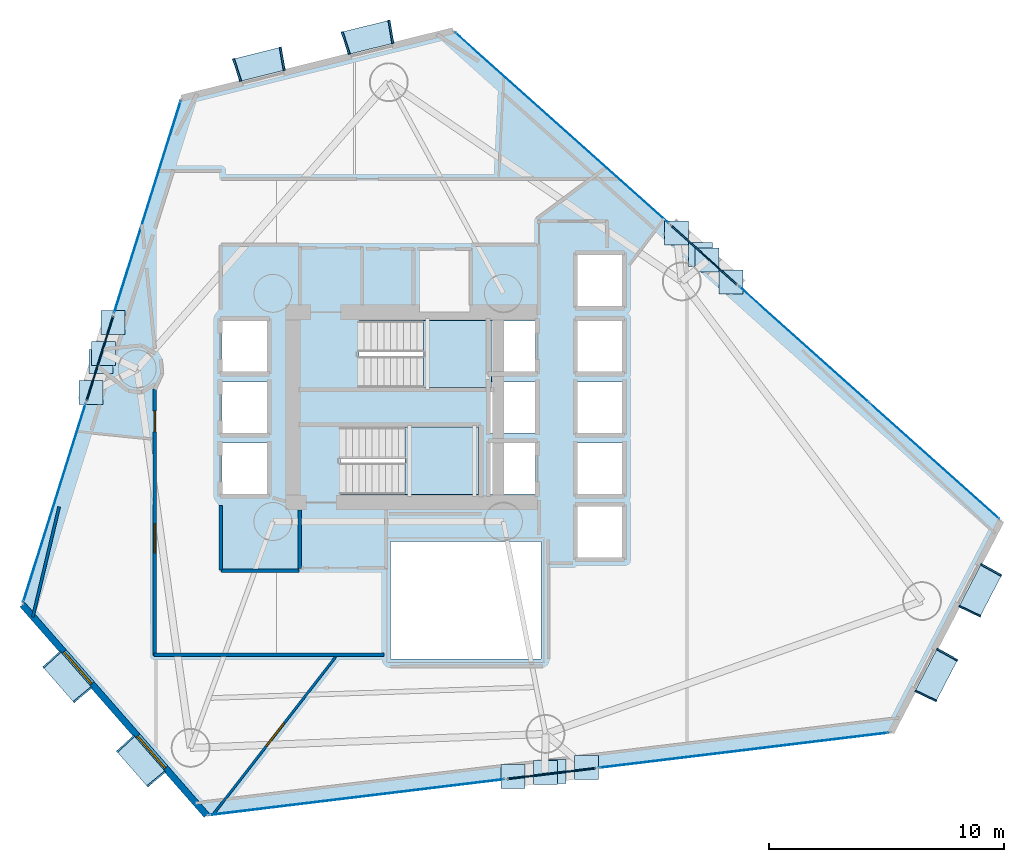
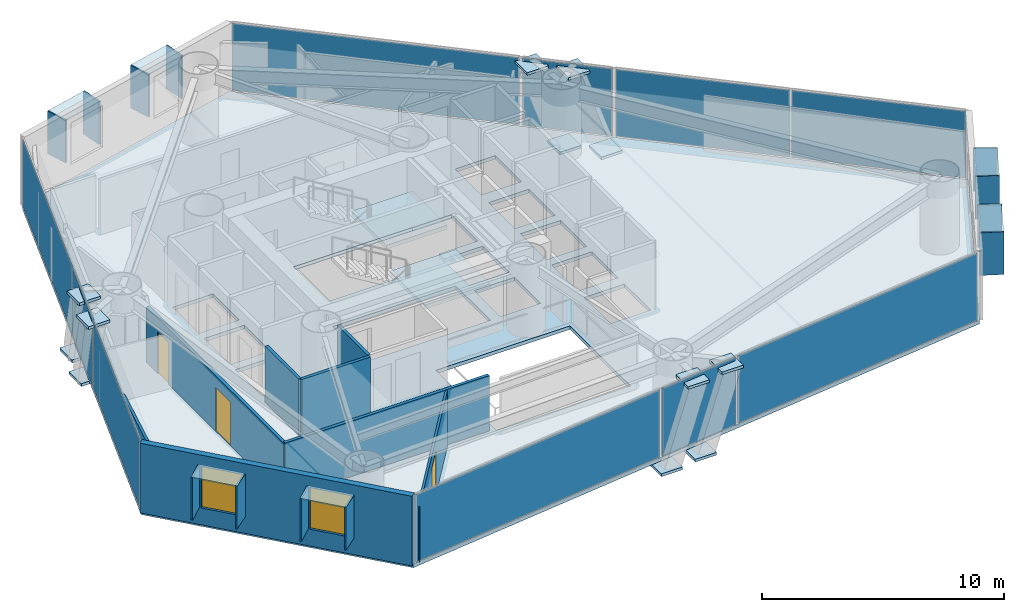
# One storey, part 17 of 24: 40 plates, 8 walls, 3 doors, 3 slabs, 2 windows, 5 openings, 11 elements without a shape of their own.
"""IFC4 building model written with IfcOpenShell, lengths in metres."""

from ifc_helpers import new_model, si_unit, direction, frame, frame_2d, origin, origin_2d, place, context, subcontext, project, spatial, polyline, rectangle, outline, extrude, material, layer, layer_set, type_object, element, fill, aggregate, save


model = new_model("IFC4")

# Units and contexts
model_context = context("Model", 3, precision=1e-05, world=origin(), true_north=direction((0.0, 1.0)))
body_context = subcontext(model_context, "Body", "Model", "MODEL_VIEW")
ifc_project = project(units=[si_unit("LENGTHUNIT", "METRE"), si_unit("AREAUNIT", "SQUARE_METRE"), si_unit("VOLUMEUNIT", "CUBIC_METRE"), si_unit("PLANEANGLEUNIT", "RADIAN"), si_unit("MASSUNIT", "GRAM", prefix="KILO")], contexts=[model_context])

# Site, building, storey
site_placement = place(None, origin())
site = spatial("IfcSite", under=ifc_project, at=site_placement, CompositionType="ELEMENT")
building_placement = place(site_placement, origin())
building = spatial("IfcBuilding", under=site, at=building_placement, Name="Qianvela Tower", CompositionType="ELEMENT")
storey_placement = place(building_placement, frame((0.0, 0.0, 71.0)))
storey = spatial("IfcBuildingStorey", under=building, at=storey_placement, Name="L17", CompositionType="ELEMENT", Elevation=71.0)

# Curtain wall, plate
ifc_material_1 = material(Name="Anodised Architectural Aluminium and Insulated Spandrel Panel", Category="aluminium")
ifc_layer_1 = layer(ifc_material_1, 0.179931640625)
ifc_layer_set_1 = layer_set([ifc_layer_1], Name="Anodised Architectural Aluminium and Insulated Spandrel Panel")
curtain_wall_type_1 = type_object("IfcCurtainWallType", Name="CW-BRACEBAY", PredefinedType="USERDEFINED", material=ifc_layer_set_1)
curtain_wall_1_placement = place(storey_placement, origin())
curtain_wall_1 = element("IfcCurtainWall", 1, at=curtain_wall_1_placement, inside=storey, type_object=curtain_wall_type_1, Name="L17 CW-BRACEBAY Curtain Wall 02B", ObjectType="CURTAIN_WALL_SYSTEM", PredefinedType="USERDEFINED")
ifc_material_2 = material(Name="Insulated Aluminium Spandrel Panel with Mineral-Wool Backpan", Category="aluminium")
ifc_layer_2 = layer(ifc_material_2, 0.06005859375)
ifc_layer_set_2 = layer_set([ifc_layer_2], Name="Insulated Aluminium Spandrel Panel with Mineral-Wool Backpan")
plate_type_1 = type_object("IfcPlateType", Name="CW-BRACEBAY-PNL", PredefinedType="CURTAIN_PANEL", material=ifc_layer_set_2)
plate_1_placement = place(storey_placement, frame((46.9189453125, 35.1884765625, 0.06494140625), z_axis=(0.0, 0.0, 1.0), x_axis=(-0.745563629334, 0.66643444885, 0.0)))
plate_1 = element("IfcPlate", 2, at=plate_1_placement, type_object=plate_type_1, Name="CW-9 panel 1.1", PredefinedType="CURTAIN_PANEL", context=body_context, shape_type="SweptSolid", body=[
    extrude(rectangle(XDim=3.780029296875, YDim=0.06005859375, at=origin_2d()), origin(), (0.0, 0.0, 1.0), 3.389892578125),
])
aggregate(curtain_wall_1, [plate_1])

curtain_wall_2_placement = place(storey_placement, origin())
curtain_wall_2 = element("IfcCurtainWall", 3, at=curtain_wall_2_placement, inside=storey, type_object=curtain_wall_type_1, Name="L17 CW-BRACEBAY Curtain Wall 04B", ObjectType="CURTAIN_WALL_SYSTEM", PredefinedType="USERDEFINED")
plate_2_placement = place(storey_placement, frame((21.2412109375, 30.783203125, 0.06494140625), z_axis=(0.0, 0.0, 1.0), x_axis=(-0.299698904357, -0.954033839404, 0.0)))
plate_2 = element("IfcPlate", 4, at=plate_2_placement, type_object=plate_type_1, Name="CW-9 panel 1.1", PredefinedType="CURTAIN_PANEL", context=body_context, shape_type="SweptSolid", body=[
    extrude(rectangle(XDim=3.780029296875, YDim=0.06005859375, at=origin_2d()), origin(), (0.0, 0.0, 1.0), 3.389892578125),
])
aggregate(curtain_wall_2, [plate_2])

curtain_wall_3_placement = place(storey_placement, origin())
curtain_wall_3 = element("IfcCurtainWall", 5, at=curtain_wall_3_placement, inside=storey, type_object=curtain_wall_type_1, Name="L17 CW-BRACEBAY Curtain Wall 06B", ObjectType="CURTAIN_WALL_SYSTEM", PredefinedType="USERDEFINED")
plate_3_placement = place(storey_placement, frame((40.447509765625, 13.133544921875, 0.06494140625), z_axis=(0.0, 0.0, 1.0), x_axis=(0.992727593644, 0.120382410751, 0.0)))
plate_3 = element("IfcPlate", 6, at=plate_3_placement, type_object=plate_type_1, Name="CW-9 panel 1.1", PredefinedType="CURTAIN_PANEL", context=body_context, shape_type="SweptSolid", body=[
    extrude(rectangle(XDim=3.7900390625, YDim=0.06005859375, at=origin_2d()), origin(), (0.0, 0.0, 1.0), 3.389892578125),
])
aggregate(curtain_wall_3, [plate_3])

# Curtain wall, plates
ifc_material_3 = material(Name="Anodised Architectural Aluminium and Low-E Glass", Category="aluminium")
ifc_layer_3 = layer(ifc_material_3, 0.179931640625)
ifc_layer_set_3 = layer_set([ifc_layer_3], Name="Anodised Architectural Aluminium and Low-E Glass")
curtain_wall_type_2 = type_object("IfcCurtainWallType", Name="CW-COLIV-Z12", PredefinedType="USERDEFINED", material=ifc_layer_set_3)
curtain_wall_4_placement = place(storey_placement, origin())
curtain_wall_4 = element("IfcCurtainWall", 7, at=curtain_wall_4_placement, inside=storey, type_object=curtain_wall_type_2, Name="L17 CW-COLIV-Z12 Curtain Wall 02A", ObjectType="CURTAIN_WALL_SYSTEM", PredefinedType="USERDEFINED")
ifc_material_4 = material(Name="Double-Silver Low-E Insulated Glass", Category="glass")
ifc_layer_4 = layer(ifc_material_4, 0.030029296875)
ifc_layer_set_4 = layer_set([ifc_layer_4], Name="Double-Silver Low-E Insulated Glass")
plate_type_2 = type_object("IfcPlateType", Name="CW-COLIV-Z12-PNL", PredefinedType="CURTAIN_PANEL", material=ifc_layer_set_4)
plate_4_placement = place(storey_placement, frame((56.72314453125, 26.4248046875, 0.06494140625), z_axis=(0.0, 0.0, 1.0), x_axis=(-0.74555490357, 0.66644421054, 0.0)))
plate_4 = element("IfcPlate", 8, at=plate_4_placement, type_object=plate_type_2, Name="CW-3 panel 1.1", PredefinedType="CURTAIN_PANEL", context=body_context, shape_type="SweptSolid", body=[
    extrude(rectangle(XDim=7.369873046875, YDim=0.030029296875, at=origin_2d()), origin(), (0.0, 0.0, 1.0), 3.389892578125),
])
plate_5_placement = place(storey_placement, frame((51.176025390625, 31.383056640625, 0.06494140625), z_axis=(0.0, 0.0, 1.0), x_axis=(-0.74555490357, 0.66644421054, 0.0)))
plate_5 = element("IfcPlate", 9, at=plate_5_placement, type_object=plate_type_2, Name="CW-3 panel 2.1", PredefinedType="CURTAIN_PANEL", context=body_context, shape_type="SweptSolid", body=[
    extrude(rectangle(XDim=7.369873046875, YDim=0.030029296875, at=origin_2d()), origin(), (0.0, 0.0, 1.0), 3.389892578125),
])
aggregate(curtain_wall_4, [plate_4, plate_5])

# Curtain wall, plate
curtain_wall_5_placement = place(storey_placement, origin())
curtain_wall_5 = element("IfcCurtainWall", 10, at=curtain_wall_5_placement, inside=storey, type_object=curtain_wall_type_2, Name="L17 CW-COLIV-Z12 Curtain Wall 02C", ObjectType="CURTAIN_WALL_SYSTEM", PredefinedType="USERDEFINED")
plate_6_placement = place(storey_placement, frame((40.88134765625, 40.58544921875, 0.06494140625), z_axis=(0.0, 0.0, 1.0), x_axis=(-0.74555138002, 0.666448152334, 0.0)))
plate_6 = element("IfcPlate", 11, at=plate_6_placement, type_object=plate_type_2, Name="CW-3 panel 1.1", PredefinedType="CURTAIN_PANEL", context=body_context, shape_type="SweptSolid", body=[
    extrude(rectangle(XDim=12.146484375, YDim=0.030029296875, at=origin_2d()), origin(), (0.0, 0.0, 1.0), 3.389892578125),
])
aggregate(curtain_wall_5, [plate_6])

curtain_wall_6_placement = place(storey_placement, origin())
curtain_wall_6 = element("IfcCurtainWall", 12, at=curtain_wall_6_placement, inside=storey, type_object=curtain_wall_type_2, Name="L17 CW-COLIV-Z12 Curtain Wall 04A", ObjectType="CURTAIN_WALL_SYSTEM", PredefinedType="USERDEFINED")
plate_7_placement = place(storey_placement, frame((23.264404296875, 37.222900390625, 0.06494140625), z_axis=(0.0, 0.0, 1.0), x_axis=(-0.299706748032, -0.954031375367, 0.0)))
plate_7 = element("IfcPlate", 13, at=plate_7_placement, type_object=plate_type_2, Name="CW-3 panel 1.1", PredefinedType="CURTAIN_PANEL", context=body_context, shape_type="SweptSolid", body=[
    extrude(rectangle(XDim=9.449951171875, YDim=0.030029296875, at=origin_2d()), origin(), (0.0, 0.0, 1.0), 3.389892578125),
])
aggregate(curtain_wall_6, [plate_7])

curtain_wall_7_placement = place(storey_placement, origin())
curtain_wall_7 = element("IfcCurtainWall", 14, at=curtain_wall_7_placement, inside=storey, type_object=curtain_wall_type_2, Name="L17 CW-COLIV-Z12 Curtain Wall 04C", ObjectType="CURTAIN_WALL_SYSTEM", PredefinedType="USERDEFINED")
plate_8_placement = place(storey_placement, frame((19.31103515625, 24.638916015625, 0.06494140625), z_axis=(0.0, 0.0, 1.0), x_axis=(-0.299703987763, -0.954032242494, 0.0)))
plate_8 = element("IfcPlate", 15, at=plate_8_placement, type_object=plate_type_2, Name="CW-3 panel 1.1", PredefinedType="CURTAIN_PANEL", context=body_context, shape_type="SweptSolid", body=[
    extrude(rectangle(XDim=8.831298828125, YDim=0.030029296875, at=origin_2d()), origin(), (0.0, 0.0, 1.0), 3.389892578125),
])
aggregate(curtain_wall_7, [plate_8])

curtain_wall_8_placement = place(storey_placement, origin())
curtain_wall_8 = element("IfcCurtainWall", 16, at=curtain_wall_8_placement, inside=storey, type_object=curtain_wall_type_2, Name="L17 CW-COLIV-Z12 Curtain Wall 06A", ObjectType="CURTAIN_WALL_SYSTEM", PredefinedType="USERDEFINED")
plate_9_placement = place(storey_placement, frame((32.168212890625, 12.129638671875, 0.06494140625), z_axis=(0.0, 0.0, 1.0), x_axis=(0.992730320598, 0.120359920925, 0.0)))
plate_9 = element("IfcPlate", 17, at=plate_9_placement, type_object=plate_type_2, Name="CW-3 panel 1.1", PredefinedType="CURTAIN_PANEL", context=body_context, shape_type="SweptSolid", body=[
    extrude(rectangle(XDim=12.6201171875, YDim=0.030029296875, at=origin_2d()), origin(), (0.0, 0.0, 1.0), 3.389892578125),
])
aggregate(curtain_wall_8, [plate_9])

curtain_wall_9_placement = place(storey_placement, origin())
curtain_wall_9 = element("IfcCurtainWall", 18, at=curtain_wall_9_placement, inside=storey, type_object=curtain_wall_type_2, Name="L17 CW-COLIV-Z12 Curtain Wall 06C", ObjectType="CURTAIN_WALL_SYSTEM", PredefinedType="USERDEFINED")
plate_10_placement = place(storey_placement, frame((48.611328125, 14.123291015625, 0.06494140625), z_axis=(0.0, 0.0, 1.0), x_axis=(0.992730256294, 0.120360451304, 0.0)))
plate_10 = element("IfcPlate", 19, at=plate_10_placement, type_object=plate_type_2, Name="CW-3 panel 1.1", PredefinedType="CURTAIN_PANEL", context=body_context, shape_type="SweptSolid", body=[
    extrude(rectangle(XDim=12.387451171875, YDim=0.030029296875, at=origin_2d()), origin(), (0.0, 0.0, 1.0), 3.389892578125),
])
aggregate(curtain_wall_9, [plate_10])

# Plates
ifc_material_5 = material(Name="Steel Q420GJC", Category="steel")
ifc_layer_5 = layer(ifc_material_5, 0.139892578125)
ifc_layer_set_5 = layer_set([ifc_layer_5], Name="Steel Q420GJC")
plate_type_3 = type_object("IfcPlateType", Name="PT-GUSSET-NODE-140", PredefinedType="USERDEFINED", material=ifc_layer_set_5)
for number, where, z_axis, x_axis, name in (
    (20, (48.084716796875, 34.0390625, -0.6630859375), (0.0, 0.0, 1.0), (1.0, 0.0, 0.0), "L17 Node Gusset Plate A"),
    (21, (47.0556640625, 34.958984375, 3.1591796875), (0.0, 0.0, 1.0), (1.0, 0.0, 0.0), "L17 Node Gusset Plate B"),
    (22, (46.7783203125, 35.206787109375, -0.6630859375), (0.0, 0.0, 1.0), (1.0, 0.0, 0.0), "L17 Node Gusset Plate A"),
    (23, (45.7490234375, 36.126953125, 3.1591796875), (0.0, 0.0, 1.0), (1.0, 0.0, 0.0), "L17 Node Gusset Plate B"),
    (24, (21.8076171875, 32.31884765625, -0.6630859375), (0.0, 0.0, 1.0), (1.0, 0.0, 0.0), "L17 Node Gusset Plate A"),
    (25, (21.392822265625, 30.99853515625, 3.1591796875), (0.0, 0.0, 1.0), (1.0, 0.0, 0.0), "L17 Node Gusset Plate B"),
    (26, (21.2822265625, 30.647216796875, -0.6630859375), (0.0, 0.0, 1.0), (1.0, 0.0, 0.0), "L17 Node Gusset Plate A"),
    (27, (20.86767578125, 29.32666015625, 3.1591796875), (0.0, 0.0, 1.0), (1.0, 0.0, 0.0), "L17 Node Gusset Plate B"),
    (28, (38.813232421875, 13.015869140625, -0.6630859375), (0.0, 0.0, 1.0), (1.0, 0.0, 0.0), "L17 Node Gusset Plate A"),
    (29, (40.18798828125, 13.1826171875, 3.1591796875), (0.0, 0.0, 1.0), (1.0, 0.0, 0.0), "L17 Node Gusset Plate B"),
    (30, (40.552734375, 13.226806640625, -0.6630859375), (0.0, 0.0, 1.0), (1.0, 0.0, 0.0), "L17 Node Gusset Plate A"),
    (31, (41.927978515625, 13.3935546875, 3.1591796875), (0.0, 0.0, 1.0), (1.0, 0.0, 0.0), "L17 Node Gusset Plate B"),
):
    element("IfcPlate", number, at=place(storey_placement, frame(where, z_axis=z_axis, x_axis=x_axis)), inside=storey, type_object=plate_type_3, Name=name, ObjectType="GUSSET_PLATE", PredefinedType="USERDEFINED", context=body_context, shape_type="SweptSolid", body=[
        extrude(rectangle(XDim=1.02001953125, YDim=1.02001953125, at=origin_2d()), origin(), (0.0, 0.0, 1.0), 0.139892578125),
    ])

# Slab
ifc_material_6 = material(Name="Concrete C40", Category="concrete")
ifc_layer_6 = layer(ifc_material_6, 0.179931640625)
ifc_layer_set_6 = layer_set([ifc_layer_6], Name="Concrete C40")
slab_type_1 = type_object("IfcSlabType", Name="SL-FLOOR-180", PredefinedType="FLOOR", material=ifc_layer_set_6)
slab_1_placement = place(storey_placement, frame((0.0, 0.0, -0.179931640625)))
element("IfcSlab", 32, at=slab_1_placement, inside=storey, type_object=slab_type_1, Name="L17 Composite Structural Floor Slab", PredefinedType="FLOOR", context=body_context, shape_type="SweptSolid", body=[
    extrude(outline(polyline([(54.879150390625, 14.88330078125), (59.559814453125, 23.888916015625), (36.263916015625, 44.712890625), (24.71630859375, 41.84521484375), (17.95166015625, 20.311767578125), (25.784912109375, 11.355712890625), (54.879150390625, 14.88330078125)]), holes=[polyline([(40.0, 23.0), (33.60009765625, 23.0), (33.60009765625, 18.0), (40.0, 18.0), (40.0, 23.0)]), polyline([(28.360107421875, 25.02001953125), (28.360107421875, 27.179931640625), (26.43994140625, 27.179931640625), (26.43994140625, 25.02001953125), (28.360107421875, 25.02001953125)]), polyline([(37.35009765625, 25.0), (37.35009765625, 27.860107421875), (31.469970703125, 27.860107421875), (31.469970703125, 25.0), (37.35009765625, 25.0)]), polyline([(28.360107421875, 27.6201171875), (28.360107421875, 29.780029296875), (26.43994140625, 29.780029296875), (26.43994140625, 27.6201171875), (28.360107421875, 27.6201171875)]), polyline([(37.89990234375, 32.3798828125), (37.89990234375, 32.39990234375), (32.25, 32.39990234375), (32.25, 29.5400390625), (37.840087890625, 29.5400390625), (37.840087890625, 27.6201171875), (39.760009765625, 27.6201171875), (39.760009765625, 29.780029296875), (37.89990234375, 29.780029296875), (37.89990234375, 30.219970703125), (39.760009765625, 30.219970703125), (39.760009765625, 32.3798828125), (37.89990234375, 32.3798828125)]), polyline([(28.360107421875, 30.219970703125), (28.360107421875, 32.3798828125), (26.43994140625, 32.3798828125), (26.43994140625, 30.219970703125), (28.360107421875, 30.219970703125)]), polyline([(43.4599609375, 24.47998046875), (41.5400390625, 24.47998046875), (41.5400390625, 22.320068359375), (43.4599609375, 22.320068359375), (43.4599609375, 24.47998046875)]), polyline([(39.760009765625, 25.02001953125), (39.760009765625, 27.179931640625), (37.840087890625, 27.179931640625), (37.840087890625, 25.02001953125), (39.760009765625, 25.02001953125)]), polyline([(43.4599609375, 25.02001953125), (43.4599609375, 27.179931640625), (41.5400390625, 27.179931640625), (41.5400390625, 25.02001953125), (43.4599609375, 25.02001953125)]), polyline([(43.4599609375, 27.6201171875), (43.4599609375, 29.780029296875), (41.5400390625, 29.780029296875), (41.5400390625, 27.6201171875), (43.4599609375, 27.6201171875)]), polyline([(43.4599609375, 30.219970703125), (43.4599609375, 32.3798828125), (41.5400390625, 32.3798828125), (41.5400390625, 30.219970703125), (43.4599609375, 30.219970703125)]), polyline([(43.4599609375, 33.02001953125), (43.4599609375, 35.179931640625), (41.5400390625, 35.179931640625), (41.5400390625, 33.02001953125), (43.4599609375, 33.02001953125)])]), origin(), (0.0, 0.0, 1.0), 0.179931640625),
])

# Stair, slab
ifc_material_7 = material(Name="Concrete C40", Category="concrete")
stair_type = type_object("IfcStairType", Name="ST-DOGLEG-1350-R168-N22", PredefinedType="HALF_TURN_STAIR", material=ifc_material_7)
stair_1_placement = place(storey_placement, origin())
stair_1 = element("IfcStair", 33, at=stair_1_placement, inside=storey, type_object=stair_type, Name="L17 Smoke-Proof Core Stair ST-1", PredefinedType="HALF_TURN_STAIR")
ifc_material_8 = material(Name="Concrete C40", Category="concrete")
ifc_layer_7 = layer(ifc_material_8, 0.199951171875)
ifc_layer_set_7 = layer_set([ifc_layer_7], Name="Concrete C40")
slab_type_2 = type_object("IfcSlabType", Name="SL-STAIR-LANDING-200", PredefinedType="LANDING", material=ifc_layer_set_7)
slab_2_placement = place(storey_placement, frame((0.0, 0.0, 1.64990234375)))
slab_2 = element("IfcSlab", 34, at=slab_2_placement, type_object=slab_type_2, Name="ST-1 landing 1", PredefinedType="LANDING", context=body_context, shape_type="SweptSolid", body=[
    extrude(outline(polyline([(35.0, 29.5400390625), (37.89990234375, 29.5400390625), (37.89990234375, 32.39990234375), (35.0, 32.39990234375), (35.0, 29.5400390625)])), origin(), (0.0, 0.0, 1.0), 0.2001953125),
])
aggregate(stair_1, [slab_2])

stair_2_placement = place(storey_placement, origin())
stair_2 = element("IfcStair", 35, at=stair_2_placement, inside=storey, type_object=stair_type, Name="L17 Smoke-Proof Core Stair ST-2", PredefinedType="HALF_TURN_STAIR")
slab_3_placement = place(storey_placement, frame((0.0, 0.0, 1.64990234375)))
slab_3 = element("IfcSlab", 36, at=slab_3_placement, type_object=slab_type_2, Name="ST-2 landing 1", PredefinedType="LANDING", context=body_context, shape_type="SweptSolid", body=[
    extrude(outline(polyline([(34.219970703125, 25.0), (37.35009765625, 25.0), (37.35009765625, 27.860107421875), (34.219970703125, 27.860107421875), (34.219970703125, 25.0)])), origin(), (0.0, 0.0, 1.0), 0.2001953125),
])
aggregate(stair_2, [slab_3])

# Plates
ifc_material_9 = material(Name="Vitrified Architectural Terracotta Panel", Category="masonry")
ifc_layer_8 = layer(ifc_material_9, 0.06494140625)
ifc_layer_set_8 = layer_set([ifc_layer_8], Name="Vitrified Architectural Terracotta Panel")
plate_type_4 = type_object("IfcPlateType", Name="TERRACOTTA-SUNSHADE-HOOD-FOLD-B", PredefinedType="USERDEFINED", material=ifc_layer_set_8)
for number, where, z_axis, x_axis, name in (
    (37, (56.811279296875, 17.310546875, 2.9599609375), (0.0, 0.0, 1.0), (0.461177259038, 0.887308027545, 0.0), "L17 Terracotta Sunshade Hood FOLD-B"),
    (38, (58.68359375, 20.912841796875, 2.9599609375), (0.0, 0.0, 1.0), (0.461177259038, 0.887308027545, 0.0), "L17 Terracotta Sunshade Hood FOLD-B"),
    (39, (19.853759765625, 17.233154296875, 2.9599609375), (0.0, 0.0, 1.0), (0.658347957256, -0.752713735212, 0.0), "L17 Terracotta Sunshade Hood FOLD-B"),
    (40, (22.987060546875, 13.65087890625, 2.9599609375), (0.0, 0.0, 1.0), (0.658347957256, -0.752713735212, 0.0), "L17 Terracotta Sunshade Hood FOLD-B"),
):
    element("IfcPlate", number, at=place(storey_placement, frame(where, z_axis=z_axis, x_axis=x_axis)), inside=storey, type_object=plate_type_4, Name=name, ObjectType="SUNSHADE", PredefinedType="USERDEFINED", context=body_context, shape_type="SweptSolid", body=[
        extrude(rectangle(XDim=2.0400390625, YDim=0.989990234375, at=origin_2d()), origin(), (0.0, 0.0, 1.0), 0.06005859375),
    ])
ifc_material_10 = material(Name="Vitrified Architectural Terracotta Panel", Category="masonry")
ifc_layer_9 = layer(ifc_material_10, 0.074951171875)
ifc_layer_set_9 = layer_set([ifc_layer_9], Name="Vitrified Architectural Terracotta Panel")
plate_type_5 = type_object("IfcPlateType", Name="TERRACOTTA-SUNSHADE-HOOD-FOLD-D", PredefinedType="USERDEFINED", material=ifc_layer_set_9)
for number, where, z_axis, x_axis, name in (
    (41, (32.65625, 44.43017578125, 2.9599609375), (0.0, 0.0, 1.0), (-0.970522460038, -0.241010693876, 0.0), "L17 Terracotta Sunshade Hood FOLD-D"),
    (42, (28.037109375, 43.282958984375, 2.9599609375), (0.0, 0.0, 1.0), (-0.970522460038, -0.241010693876, 0.0), "L17 Terracotta Sunshade Hood FOLD-D"),
):
    element("IfcPlate", number, at=place(storey_placement, frame(where, z_axis=z_axis, x_axis=x_axis)), inside=storey, type_object=plate_type_5, Name=name, ObjectType="SUNSHADE", PredefinedType="USERDEFINED", context=body_context, shape_type="SweptSolid", body=[
        extrude(rectangle(XDim=2.0400390625, YDim=0.989990234375, at=origin_2d()), origin(), (0.0, 0.0, 1.0), 0.06005859375),
    ])
ifc_material_11 = material(Name="Vitrified Architectural Terracotta Side Fin Panel", Category="masonry")
ifc_layer_10 = layer(ifc_material_11, 0.070068359375)
ifc_layer_set_10 = layer_set([ifc_layer_10], Name="Vitrified Architectural Terracotta Side Fin Panel")
plate_type_6 = type_object("IfcPlateType", Name="TERRACOTTA-SUNSHADE-STRUT-FOLD-B", PredefinedType="USERDEFINED", material=ifc_layer_set_10)
for number, where, z_axis, x_axis, name in (
    (43, (56.354736328125, 16.43212890625, 0.85009765625), (0.0, 0.0, 1.0), (0.433865093818, 0.900977846768, 0.0), "L17 Terracotta Sunshade Side Fin HL FOLD-B"),
    (44, (57.267822265625, 18.18896484375, 0.85009765625), (0.0, 0.0, 1.0), (0.488059229659, 0.872810511133, 0.0), "L17 Terracotta Sunshade Side Fin HR FOLD-B"),
    (45, (58.22705078125, 20.034423828125, 0.85009765625), (0.0, 0.0, 1.0), (0.433865093818, 0.900977846768, 0.0), "L17 Terracotta Sunshade Side Fin HL FOLD-B"),
    (46, (59.14013671875, 21.791259765625, 0.85009765625), (0.0, 0.0, 1.0), (0.488059229659, 0.872810511133, 0.0), "L17 Terracotta Sunshade Side Fin HR FOLD-B"),
    (47, (19.201904296875, 17.978515625, 0.85009765625), (0.0, 0.0, 1.0), (0.681027656082, -0.732257694839, 0.0), "L17 Terracotta Sunshade Side Fin HL FOLD-B"),
    (48, (20.505615234375, 16.488037109375, 0.85009765625), (0.0, 0.0, 1.0), (0.63505413939, -0.772467630418, 0.0), "L17 Terracotta Sunshade Side Fin HR FOLD-B"),
    (49, (22.335205078125, 14.39599609375, 0.85009765625), (0.0, 0.0, 1.0), (0.681027656082, -0.732257694839, 0.0), "L17 Terracotta Sunshade Side Fin HL FOLD-B"),
    (50, (23.638916015625, 12.905517578125, 0.85009765625), (0.0, 0.0, 1.0), (0.63505413939, -0.772467630418, 0.0), "L17 Terracotta Sunshade Side Fin HR FOLD-B"),
):
    element("IfcPlate", number, at=place(storey_placement, frame(where, z_axis=z_axis, x_axis=x_axis)), inside=storey, type_object=plate_type_6, Name=name, ObjectType="SUNSHADE", PredefinedType="USERDEFINED", context=body_context, shape_type="SweptSolid", body=[
        extrude(rectangle(XDim=0.070068359375, YDim=1.010009765625, at=origin_2d()), origin(), (0.0, 0.0, 1.0), 2.159912109375),
    ])
ifc_material_12 = material(Name="Vitrified Architectural Terracotta Side Fin Panel", Category="masonry")
ifc_layer_11 = layer(ifc_material_12, 0.080078125)
ifc_layer_set_11 = layer_set([ifc_layer_11], Name="Vitrified Architectural Terracotta Side Fin Panel")
plate_type_7 = type_object("IfcPlateType", Name="TERRACOTTA-SUNSHADE-STRUT-FOLD-D", PredefinedType="USERDEFINED", material=ifc_layer_set_11)
for number, where, z_axis, x_axis, name in (
    (51, (33.6171875, 44.668701171875, 0.85009765625), (0.0, 0.0, 1.0), (-0.98571464156, -0.168424004865, 0.0), "L17 Terracotta Sunshade Side Fin HL FOLD-D"),
    (52, (31.6953125, 44.19140625, 0.85009765625), (0.0, 0.0, 1.0), (-0.949992764272, -0.312271913293, 0.0), "L17 Terracotta Sunshade Side Fin HR FOLD-D"),
    (53, (28.998046875, 43.521484375, 0.85009765625), (0.0, 0.0, 1.0), (-0.98571464156, -0.168424004865, 0.0), "L17 Terracotta Sunshade Side Fin HL FOLD-D"),
    (54, (27.076416015625, 43.04443359375, 0.85009765625), (0.0, 0.0, 1.0), (-0.949992764272, -0.312271913293, 0.0), "L17 Terracotta Sunshade Side Fin HR FOLD-D"),
):
    element("IfcPlate", number, at=place(storey_placement, frame(where, z_axis=z_axis, x_axis=x_axis)), inside=storey, type_object=plate_type_7, Name=name, ObjectType="SUNSHADE", PredefinedType="USERDEFINED", context=body_context, shape_type="SweptSolid", body=[
        extrude(rectangle(XDim=0.080078125, YDim=1.010009765625, at=origin_2d()), origin(), (0.0, 0.0, 1.0), 2.159912109375),
    ])

# Wall, openings, windows
ifc_material_13 = material(Name="Terracotta Cladding on Concrete C40", Category="masonry")
ifc_layer_12 = layer(ifc_material_13, 0.280029296875)
ifc_layer_set_12 = layer_set([ifc_layer_12], Name="Terracotta Cladding on Concrete C40")
wall_type_1 = type_object("IfcWallType", Name="TERRACOTTA-WALL-280", PredefinedType="SOLIDWALL", material=ifc_layer_set_12)
wall_1_placement = place(storey_placement, frame((17.95166015625, 20.311767578125, 0.0), z_axis=(0.0, 0.0, 1.0), x_axis=(0.658347705973, -0.752713954992, 0.0)))
wall_1 = element("IfcWall", 55, at=wall_1_placement, inside=storey, type_object=wall_type_1, Name="L17 Terracotta Chamfer Facet Wall 5", PredefinedType="SOLIDWALL", context=body_context, shape_type="SweptSolid", body=[
    extrude(rectangle(XDim=11.8984375, YDim=0.280029296875, at=frame_2d((5.94921875, 0.0))), origin(), (0.0, 0.0, 1.0), 3.52001953125),
])
opening_1_placement = place(wall_1_placement, frame((2.66943359375, 0.0, 0.85009765625)))
opening_1 = element("IfcOpeningElement", 56, at=opening_1_placement, cuts=wall_1, Name="Opening W-01", PredefinedType="OPENING", context=body_context, shape_type="SweptSolid", body=[
    extrude(rectangle(XDim=1.800048828125, YDim=2.10009765625, at=frame_2d((0.89990234375, 1.050048828125))), frame((0.0, 0.14990234375, 0.0), z_axis=(0.0, -1.0, 0.0), x_axis=(1.0, 0.0, 0.0)), (0.0, 0.0, 1.0), 0.300048828125),
])
opening_2_placement = place(wall_1_placement, frame((7.4287109375, 0.0, 0.85009765625)))
opening_2 = element("IfcOpeningElement", 57, at=opening_2_placement, cuts=wall_1, Name="Opening W-01", PredefinedType="OPENING", context=body_context, shape_type="SweptSolid", body=[
    extrude(rectangle(XDim=1.800048828125, YDim=2.10009765625, at=frame_2d((0.89990234375, 1.050048828125))), frame((0.0, 0.14990234375, 0.0), z_axis=(0.0, -1.0, 0.0), x_axis=(1.0, 0.0, 0.0)), (0.0, 0.0, 1.0), 0.300048828125),
])
ifc_material_14 = material(Name="Thermally Broken Aluminium and Low-E Glass", Category="aluminium")
window_type = type_object("IfcWindowType", Name="WIN-TC-1800x2100", PartitioningType="DOUBLE_PANEL_VERTICAL", PredefinedType="WINDOW", material=ifc_material_14)
window_1_placement = place(opening_1_placement, origin())
window_1 = element("IfcWindow", 58, at=window_1_placement, inside=storey, type_object=window_type, Name="L17 Chamfer Facet Window 5.1", OverallHeight=2.10009765625, OverallWidth=1.800048828125, PartitioningType="SINGLE_PANEL", PredefinedType="WINDOW", context=body_context, shape_type="SweptSolid", body=[
    extrude(rectangle(XDim=1.800048828125, YDim=2.10009765625, at=frame_2d((0.89990234375, 1.050048828125))), frame((0.0, 0.030029296875, 0.0), z_axis=(0.0, -1.0, 0.0), x_axis=(1.0, 0.0, 0.0)), (0.0, 0.0, 1.0), 0.06005859375),
])
fill(opening_1, window_1)
window_2_placement = place(opening_2_placement, origin())
window_2 = element("IfcWindow", 59, at=window_2_placement, inside=storey, type_object=window_type, Name="L17 Chamfer Facet Window 5.2", OverallHeight=2.10009765625, OverallWidth=1.800048828125, PartitioningType="SINGLE_PANEL", PredefinedType="WINDOW", context=body_context, shape_type="SweptSolid", body=[
    extrude(rectangle(XDim=1.800048828125, YDim=2.10009765625, at=frame_2d((0.89990234375, 1.050048828125))), frame((0.0, 0.030029296875, 0.0), z_axis=(0.0, -1.0, 0.0), x_axis=(1.0, 0.0, 0.0)), (0.0, 0.0, 1.0), 0.06005859375),
])
fill(opening_2, window_2)

# Walls
ifc_material_15 = material(Name="Fire-Rated Acoustic Gypsum Board")
ifc_layer_13 = layer(ifc_material_15, 0.14990234375)
ifc_layer_set_13 = layer_set([ifc_layer_13], Name="Fire-Rated Acoustic Gypsum Board")
wall_type_2 = type_object("IfcWallType", Name="WT-CORR-150", PredefinedType="PARTITIONING", material=ifc_layer_set_13)
wall_2_placement = place(storey_placement, frame((29.73095703125, 21.85009765625, 0.0), z_axis=(0.0, 0.0, 1.0), x_axis=(0.0, 1.0, 0.0)))
element("IfcWall", 60, at=wall_2_placement, inside=storey, type_object=wall_type_2, Name="L17 Partition 6", PredefinedType="PARTITIONING", context=body_context, shape_type="SweptSolid", body=[
    extrude(rectangle(XDim=2.491943359375, YDim=0.14990234375, at=frame_2d((1.24609375, 0.0))), origin(), (0.0, 0.0, 1.0), 2.840087890625),
])
wall_3_placement = place(storey_placement, frame((26.388916015625, 24.530517578125, 0.0), z_axis=(0.0, 0.0, 1.0), x_axis=(0.0, -1.0, 0.0)))
element("IfcWall", 61, at=wall_3_placement, inside=storey, type_object=wall_type_2, Name="L17 Partition 48", PredefinedType="PARTITIONING", context=body_context, shape_type="SweptSolid", body=[
    extrude(rectangle(XDim=2.75048828125, YDim=0.14990234375, at=frame_2d((1.375244140625, 0.0))), origin(), (0.0, 0.0, 1.0), 2.840087890625),
])
wall_4_placement = place(storey_placement, frame((26.419921875, 21.7490234375, 0.0), z_axis=(0.0, 0.0, 1.0), x_axis=(1.0, 0.0, 0.0)))
element("IfcWall", 62, at=wall_4_placement, inside=storey, type_object=wall_type_2, Name="L17 Partition 49 seg 1", PredefinedType="PARTITIONING", context=body_context, shape_type="SweptSolid", body=[
    extrude(rectangle(XDim=3.280029296875, YDim=0.14990234375, at=frame_2d((1.64013671875, 0.0))), origin(), (0.0, 0.0, 1.0), 2.840087890625),
])
wall_5_placement = place(storey_placement, frame((33.320068359375, 18.180908203125, 0.0), z_axis=(0.0, 0.0, 1.0), x_axis=(-1.0, 0.0, 0.0)))
element("IfcWall", 63, at=wall_5_placement, inside=storey, type_object=wall_type_2, Name="L17 Partition 50", PredefinedType="PARTITIONING", context=body_context, shape_type="SweptSolid", body=[
    extrude(rectangle(XDim=9.77001953125, YDim=0.14990234375, at=frame_2d((4.885009765625, 0.0))), origin(), (0.0, 0.0, 1.0), 2.798095703125),
])

# Wall, openings, doors
wall_6_placement = place(storey_placement, frame((23.5810546875, 18.14990234375, 0.0), z_axis=(0.0, 0.0, 1.0), x_axis=(0.0, 1.0, 0.0)))
wall_6 = element("IfcWall", 64, at=wall_6_placement, inside=storey, type_object=wall_type_2, Name="L17 Partition 51", PredefinedType="PARTITIONING", context=body_context, shape_type="SweptSolid", body=[
    extrude(rectangle(XDim=11.3330078125, YDim=0.14990234375, at=frame_2d((5.66650390625, 0.0))), origin(), (0.0, 0.0, 1.0), 2.798095703125),
])
opening_3_placement = place(wall_6_placement, frame((4.364501953125, 0.0, 0.0)))
opening_3 = element("IfcOpeningElement", 65, at=opening_3_placement, cuts=wall_6, Name="Opening D-LG1", PredefinedType="OPENING", context=body_context, shape_type="SweptSolid", body=[
    extrude(rectangle(XDim=1.25, YDim=2.199951171875, at=frame_2d((0.625, 1.10009765625))), frame((0.0, 0.0849609375, 0.0), z_axis=(0.0, -1.0, 0.0), x_axis=(1.0, 0.0, 0.0)), (0.0, 0.0, 1.0), 0.169921875),
])
opening_4_placement = place(wall_6_placement, frame((9.50732421875, 0.0, 0.0)))
opening_4 = element("IfcOpeningElement", 66, at=opening_4_placement, cuts=wall_6, Name="Opening D-KT1", PredefinedType="OPENING", context=body_context, shape_type="SweptSolid", body=[
    extrude(rectangle(XDim=0.89990234375, YDim=2.10009765625, at=frame_2d((0.449951171875, 1.050048828125))), frame((0.0, 0.0849609375, 0.0), z_axis=(0.0, -1.0, 0.0), x_axis=(1.0, 0.0, 0.0)), (0.0, 0.0, 1.0), 0.169921875),
])
ifc_material_16 = material(Name="Glazed Timber Kitchen Door", Category="wood")
door_type_1 = type_object("IfcDoorType", Name="DT-KITCH-900", OperationType="NOTDEFINED", PredefinedType="DOOR", material=ifc_material_16)
door_1_placement = place(opening_4_placement, origin())
door_1 = element("IfcDoor", 67, at=door_1_placement, inside=storey, type_object=door_type_1, Name="L17 Door Student Tea Pantry L17-05 to L17 Floor Corridor", OperationType="SINGLE_SWING_RIGHT", OverallHeight=2.10009765625, OverallWidth=0.89990234375, PredefinedType="DOOR", context=body_context, shape_type="SweptSolid", body=[
    extrude(rectangle(XDim=0.89990234375, YDim=2.10009765625, at=frame_2d((0.449951171875, 1.050048828125))), frame((0.0, 0.02490234375, 0.0), z_axis=(0.0, -1.0, 0.0), x_axis=(1.0, 0.0, 0.0)), (0.0, 0.0, 1.0), 0.050048828125),
])
fill(opening_4, door_1)
ifc_material_17 = material(Name="Anodised Aluminium Acoustic Glass Door", Category="aluminium")
door_type_2 = type_object("IfcDoorType", Name="DT-LOUNGE-1250", OperationType="NOTDEFINED", PredefinedType="DOOR", material=ifc_material_17)
door_2_placement = place(opening_3_placement, origin())
door_2 = element("IfcDoor", 68, at=door_2_placement, inside=storey, type_object=door_type_2, Name="L17 Door Graduate Seminar Classroom L17-01 to L17 Floor Corridor", OperationType="SINGLE_SWING_LEFT", OverallHeight=2.199951171875, OverallWidth=1.25, PredefinedType="DOOR", context=body_context, shape_type="SweptSolid", body=[
    extrude(rectangle(XDim=1.25, YDim=2.199951171875, at=frame_2d((0.625, 1.10009765625))), frame((0.0, 0.02490234375, 0.0), z_axis=(0.0, -1.0, 0.0), x_axis=(1.0, 0.0, 0.0)), (0.0, 0.0, 1.0), 0.050048828125),
])
fill(opening_3, door_2)

# Wall, opening, door
ifc_material_18 = material(Name="Lightweight Gypsum Room Partition")
ifc_layer_14 = layer(ifc_material_18, 0.10498046875)
ifc_layer_set_14 = layer_set([ifc_layer_14], Name="Lightweight Gypsum Room Partition")
wall_type_3 = type_object("IfcWallType", Name="WT-PART-105", PredefinedType="PARTITIONING", material=ifc_layer_set_14)
wall_7_placement = place(storey_placement, frame((31.26171875, 18.089111328125, 0.0), z_axis=(0.0, 0.0, 1.0), x_axis=(-0.613499332292, -0.789695238226, 0.0)))
wall_7 = element("IfcWall", 69, at=wall_7_placement, inside=storey, type_object=wall_type_3, Name="L17 Partition 56", PredefinedType="PARTITIONING", context=body_context, shape_type="SweptSolid", body=[
    extrude(rectangle(XDim=8.5048828125, YDim=0.10498046875, at=frame_2d((4.25244140625, 0.0))), origin(), (0.0, 0.0, 1.0), 2.798095703125),
])
opening_5_placement = place(wall_7_placement, frame((3.546875, 0.0, 0.0)))
opening_5 = element("IfcOpeningElement", 70, at=opening_5_placement, cuts=wall_7, Name="Opening D-LG1", PredefinedType="OPENING", context=body_context, shape_type="SweptSolid", body=[
    extrude(rectangle(XDim=1.25, YDim=2.199951171875, at=frame_2d((0.625, 1.10009765625))), frame((0.0, 0.0625, 0.0), z_axis=(0.0, -1.0, 0.0), x_axis=(1.0, 0.0, 0.0)), (0.0, 0.0, 1.0), 0.125),
])
door_3_placement = place(opening_5_placement, origin())
door_3 = element("IfcDoor", 71, at=door_3_placement, inside=storey, type_object=door_type_2, Name="L17 Door Tutorial Breakout Seminar L17-02 to Graduate Seminar Classroom L17-01", OperationType="SINGLE_SWING_LEFT", OverallHeight=2.199951171875, OverallWidth=1.25, PredefinedType="DOOR", context=body_context, shape_type="SweptSolid", body=[
    extrude(rectangle(XDim=1.25, YDim=2.199951171875, at=frame_2d((0.625, 1.10009765625))), frame((0.0, 0.02490234375, 0.0), z_axis=(0.0, -1.0, 0.0), x_axis=(1.0, 0.0, 0.0)), (0.0, 0.0, 1.0), 0.050048828125),
])
fill(opening_5, door_3)

# Wall
ifc_material_19 = material(Name="Insulated Gypsum Stud Partition")
ifc_layer_15 = layer(ifc_material_19, 0.1201171875)
ifc_layer_set_15 = layer_set([ifc_layer_15], Name="Insulated Gypsum Stud Partition")
wall_type_4 = type_object("IfcWallType", Name="WT-PART-120", PredefinedType="PARTITIONING", material=ifc_layer_set_15)
wall_8_placement = place(storey_placement, frame((18.389892578125, 19.78466796875, 0.0), z_axis=(0.0, 0.0, 1.0), x_axis=(0.23249925899, 0.97259657339, 0.0)))
element("IfcWall", 72, at=wall_8_placement, inside=storey, type_object=wall_type_4, Name="L17 Partition 58 seg 1", PredefinedType="PARTITIONING", context=body_context, shape_type="SweptSolid", body=[
    extrude(rectangle(XDim=4.81982421875, YDim=0.1201171875, at=frame_2d((2.409912109375, 0.0))), origin(), (0.0, 0.0, 1.0), 2.840087890625),
])

save(model, "model.ifc")
